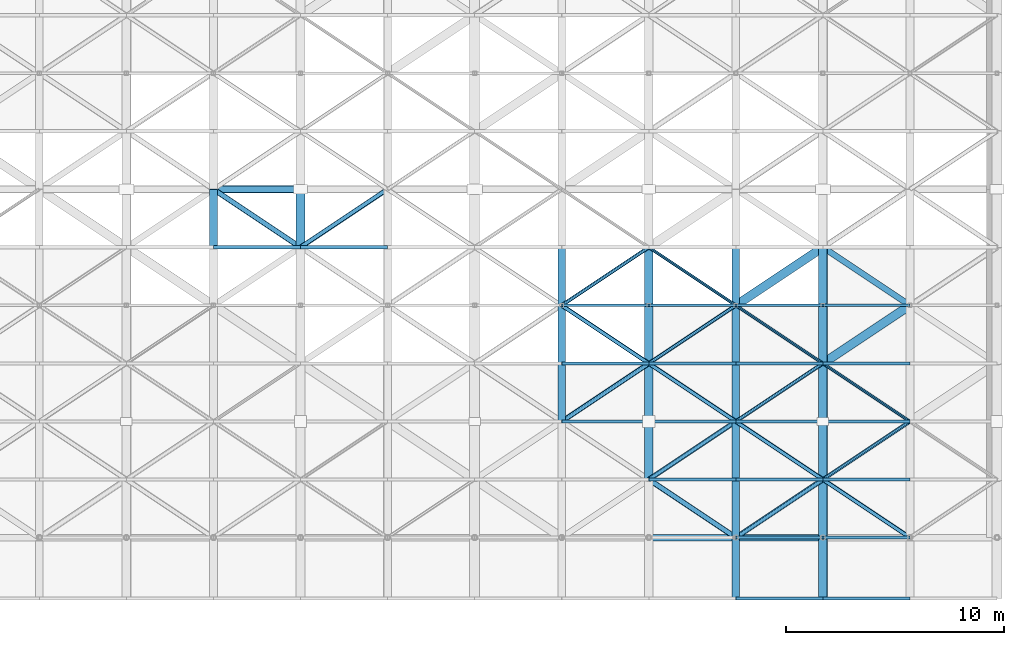
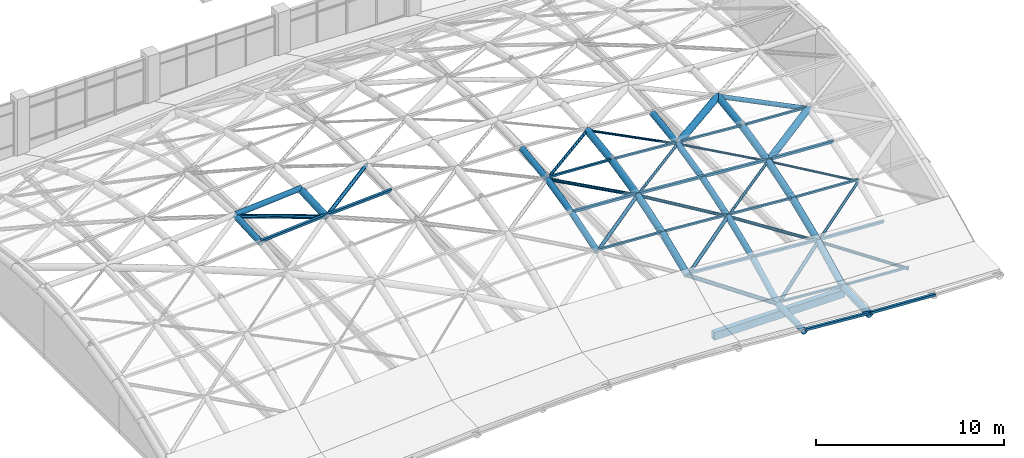
# One storey, part 29 of 72: 42 members, 22 beams.
"""IFC4 building model written with IfcOpenShell, lengths in metres."""

from ifc_helpers import new_model, si_unit, direction, frame, origin, origin_2d, place, context, subcontext, project, spatial, hollow_rectangle, hollow_circle, extrude, material, material_profile, profile_set, type_object, element, save


model = new_model("IFC4")

# Units and contexts
model_context = context("Model", 3, precision=1e-05, world=origin(), true_north=direction((0.0, 1.0)))
body_context = subcontext(model_context, "Body", "Model", "MODEL_VIEW")
ifc_project = project(units=[si_unit("LENGTHUNIT", "METRE"), si_unit("AREAUNIT", "SQUARE_METRE"), si_unit("VOLUMEUNIT", "CUBIC_METRE"), si_unit("PLANEANGLEUNIT", "RADIAN"), si_unit("MASSUNIT", "GRAM", prefix="KILO")], contexts=[model_context])

# Site, building, storey
site_placement = place(None, origin())
site = spatial("IfcSite", under=ifc_project, at=site_placement, CompositionType="ELEMENT")
building_placement = place(site_placement, origin())
building = spatial("IfcBuilding", under=site, at=building_placement, Name="Tenunan Teduh Sports Hall", CompositionType="ELEMENT")
storey_placement = place(building_placement, frame((0.0, 0.0, 15.0)))
storey = spatial("IfcBuildingStorey", under=building, at=storey_placement, Name="L03", CompositionType="ELEMENT", Elevation=15.0)

# Beams
ifc_material_1 = material(Name="Steel S355", Category="steel")
ifc_material_profile_1 = material_profile(ifc_material_1, hollow_circle(Radius=0.177734375, WallThickness=0.012451171875, at=origin_2d()), Name="CHS 355.6x12.5")
ifc_profile_set_1 = profile_set([ifc_material_profile_1], Name="Steel S355")
beam_type_1 = type_object("IfcBeamType", Name="GSB-CHS356", PredefinedType="BEAM", material=ifc_profile_set_1)
beam_1_placement = place(storey_placement, frame((134.0, 27.333251953125, 4.4990234375), z_axis=(0.0, 0.998970613421, 0.045362027305), x_axis=(-1.0, 0.0, 0.0)))
element("IfcBeam", 1, at=beam_1_placement, inside=storey, type_object=beam_type_1, Name="Gridshell Vault Arch BM-GR-04-L03-0114", PredefinedType="BEAM", context=body_context, shape_type="SweptSolid", body=[
    extrude(hollow_circle(Radius=0.177734375, WallThickness=0.012451171875, at=origin_2d()), origin(), (0.0, 0.0, 1.0), 2.66943359375),
])
beam_2_placement = place(storey_placement, frame((150.0, 19.333251953125, 3.1865234375), z_axis=(0.0, 0.952205270427, 0.305458872798), x_axis=(-1.0, 0.0, 0.0)))
element("IfcBeam", 2, at=beam_2_placement, inside=storey, type_object=beam_type_1, Name="Gridshell Vault Arch BM-GR-04-L03-0163", PredefinedType="BEAM", context=body_context, shape_type="SweptSolid", body=[
    extrude(hollow_circle(Radius=0.177734375, WallThickness=0.012451171875, at=origin_2d()), origin(), (0.0, 0.0, 1.0), 2.800537109375),
])
beam_3_placement = place(storey_placement, frame((150.0, 22.0, 4.0419921875), z_axis=(0.0, 0.974871798782, 0.222766640095), x_axis=(-1.0, 0.0, 0.0)))
element("IfcBeam", 3, at=beam_3_placement, inside=storey, type_object=beam_type_1, Name="Gridshell Vault Arch BM-GR-04-L03-0164", PredefinedType="BEAM", context=body_context, shape_type="SweptSolid", body=[
    extrude(hollow_circle(Radius=0.177734375, WallThickness=0.012451171875, at=origin_2d()), origin(), (0.0, 0.0, 1.0), 2.735595703125),
])
beam_4_placement = place(storey_placement, frame((150.0, 24.666748046875, 4.6513671875), z_axis=(0.0, 0.99065158568, 0.136416405866), x_axis=(-1.0, 0.0, 0.0)))
element("IfcBeam", 4, at=beam_4_placement, inside=storey, type_object=beam_type_1, Name="Gridshell Vault Arch BM-GR-04-L03-0165", PredefinedType="BEAM", context=body_context, shape_type="SweptSolid", body=[
    extrude(hollow_circle(Radius=0.177734375, WallThickness=0.012451171875, at=origin_2d()), origin(), (0.0, 0.0, 1.0), 2.691650390625),
])
beam_5_placement = place(storey_placement, frame((158.0, 11.199951171875, 0.1357421875), z_axis=(0.0, 0.999529350566, 0.030676984166), x_axis=(-1.0, 0.0, 0.0)))
element("IfcBeam", 5, at=beam_5_placement, inside=storey, type_object=beam_type_1, Name="Gridshell Vault Arch BM-GR-04-L03-0186", PredefinedType="BEAM", context=body_context, shape_type="SweptSolid", body=[
    extrude(hollow_circle(Radius=0.177734375, WallThickness=0.012451171875, at=origin_2d()), origin(), (0.0, 0.0, 1.0), 2.80126953125),
])
beam_6_placement = place(storey_placement, frame((158.0, 14.0, 0.2216796875), z_axis=(0.0, 0.893033000477, 0.449991177756), x_axis=(-1.0, 0.0, 0.0)))
element("IfcBeam", 6, at=beam_6_placement, inside=storey, type_object=beam_type_1, Name="Gridshell Vault Arch BM-GR-04-L03-0187", PredefinedType="BEAM", context=body_context, shape_type="SweptSolid", body=[
    extrude(hollow_circle(Radius=0.177734375, WallThickness=0.012451171875, at=origin_2d()), origin(), (0.0, 0.0, 1.0), 2.986083984375),
])
beam_7_placement = place(storey_placement, frame((158.0, 16.666748046875, 1.5654296875), z_axis=(0.0, 0.924239355634, 0.381813584748), x_axis=(-1.0, 0.0, 0.0)))
element("IfcBeam", 7, at=beam_7_placement, inside=storey, type_object=beam_type_1, Name="Gridshell Vault Arch BM-GR-04-L03-0188", PredefinedType="BEAM", context=body_context, shape_type="SweptSolid", body=[
    extrude(hollow_circle(Radius=0.177734375, WallThickness=0.012451171875, at=origin_2d()), origin(), (0.0, 0.0, 1.0), 2.885009765625),
])
beam_8_placement = place(storey_placement, frame((158.0, 19.333251953125, 2.6669921875), z_axis=(0.0, 0.952205270427, 0.305458872798), x_axis=(-1.0, 0.0, 0.0)))
element("IfcBeam", 8, at=beam_8_placement, inside=storey, type_object=beam_type_1, Name="Gridshell Vault Arch BM-GR-04-L03-0189", PredefinedType="BEAM", context=body_context, shape_type="SweptSolid", body=[
    extrude(hollow_circle(Radius=0.177734375, WallThickness=0.012451171875, at=origin_2d()), origin(), (0.0, 0.0, 1.0), 2.800537109375),
])
beam_9_placement = place(storey_placement, frame((158.0, 22.0, 3.5224609375), z_axis=(0.0, 0.974871798782, 0.222766640095), x_axis=(-1.0, 0.0, 0.0)))
element("IfcBeam", 9, at=beam_9_placement, inside=storey, type_object=beam_type_1, Name="Gridshell Vault Arch BM-GR-04-L03-0190", PredefinedType="BEAM", context=body_context, shape_type="SweptSolid", body=[
    extrude(hollow_circle(Radius=0.177734375, WallThickness=0.012451171875, at=origin_2d()), origin(), (0.0, 0.0, 1.0), 2.735595703125),
])
beam_10_placement = place(storey_placement, frame((158.0, 24.666748046875, 4.1318359375), z_axis=(0.0, 0.99065158568, 0.136416405866), x_axis=(-1.0, 0.0, 0.0)))
element("IfcBeam", 10, at=beam_10_placement, inside=storey, type_object=beam_type_1, Name="Gridshell Vault Arch BM-GR-04-L03-0191", PredefinedType="BEAM", context=body_context, shape_type="SweptSolid", body=[
    extrude(hollow_circle(Radius=0.177734375, WallThickness=0.012451171875, at=origin_2d()), origin(), (0.0, 0.0, 1.0), 2.691650390625),
])
ifc_material_2 = material(Name="Steel S355", Category="steel")
ifc_material_profile_2 = material_profile(ifc_material_2, hollow_circle(Radius=0.203125, WallThickness=0.01611328125, at=origin_2d()), Name="CHS 406.4x16.0")
ifc_profile_set_2 = profile_set([ifc_material_profile_2], Name="Steel S355")
beam_type_2 = type_object("IfcBeamType", Name="GSB-CHS406", PredefinedType="BEAM", material=ifc_profile_set_2)
beam_11_placement = place(storey_placement, frame((138.0, 27.333251953125, 4.7958984375), z_axis=(0.0, 0.998970613421, 0.045362027305), x_axis=(-1.0, 0.0, 0.0)))
element("IfcBeam", 11, at=beam_11_placement, inside=storey, type_object=beam_type_2, Name="Gridshell Vault Arch BM-GA-02-L03-0127", PredefinedType="BEAM", context=body_context, shape_type="SweptSolid", body=[
    extrude(hollow_circle(Radius=0.203125, WallThickness=0.01611328125, at=origin_2d()), origin(), (0.0, 0.0, 1.0), 2.66943359375),
])
beam_12_placement = place(storey_placement, frame((154.0, 16.666748046875, 1.8623046875), z_axis=(0.0, 0.924239355634, 0.381813584748), x_axis=(-1.0, 0.0, 0.0)))
element("IfcBeam", 12, at=beam_12_placement, inside=storey, type_object=beam_type_2, Name="Gridshell Vault Arch BM-GA-02-L03-0175", PredefinedType="BEAM", context=body_context, shape_type="SweptSolid", body=[
    extrude(hollow_circle(Radius=0.203125, WallThickness=0.01611328125, at=origin_2d()), origin(), (0.0, 0.0, 1.0), 2.885009765625),
])
beam_13_placement = place(storey_placement, frame((154.0, 19.333251953125, 2.9638671875), z_axis=(0.0, 0.952205270427, 0.305458872798), x_axis=(-1.0, 0.0, 0.0)))
element("IfcBeam", 13, at=beam_13_placement, inside=storey, type_object=beam_type_2, Name="Gridshell Vault Arch BM-GA-02-L03-0176", PredefinedType="BEAM", context=body_context, shape_type="SweptSolid", body=[
    extrude(hollow_circle(Radius=0.203125, WallThickness=0.01611328125, at=origin_2d()), origin(), (0.0, 0.0, 1.0), 2.800537109375),
])
beam_14_placement = place(storey_placement, frame((154.0, 22.0, 3.8193359375), z_axis=(0.0, 0.974871798782, 0.222766640095), x_axis=(-1.0, 0.0, 0.0)))
element("IfcBeam", 14, at=beam_14_placement, inside=storey, type_object=beam_type_2, Name="Gridshell Vault Arch BM-GA-02-L03-0177", PredefinedType="BEAM", context=body_context, shape_type="SweptSolid", body=[
    extrude(hollow_circle(Radius=0.203125, WallThickness=0.01611328125, at=origin_2d()), origin(), (0.0, 0.0, 1.0), 2.735595703125),
])
beam_15_placement = place(storey_placement, frame((154.0, 24.666748046875, 4.4287109375), z_axis=(0.0, 0.99065158568, 0.136416405866), x_axis=(-1.0, 0.0, 0.0)))
element("IfcBeam", 15, at=beam_15_placement, inside=storey, type_object=beam_type_2, Name="Gridshell Vault Arch BM-GA-02-L03-0178", PredefinedType="BEAM", context=body_context, shape_type="SweptSolid", body=[
    extrude(hollow_circle(Radius=0.203125, WallThickness=0.01611328125, at=origin_2d()), origin(), (0.0, 0.0, 1.0), 2.691650390625),
])
beam_16_placement = place(storey_placement, frame((162.0, 11.199951171875, -0.1650390625), z_axis=(0.0, 0.999529350566, 0.030676984166), x_axis=(-1.0, 0.0, 0.0)))
element("IfcBeam", 16, at=beam_16_placement, inside=storey, type_object=beam_type_2, Name="Gridshell Vault Arch BM-GA-02-L03-0200", PredefinedType="BEAM", context=body_context, shape_type="SweptSolid", body=[
    extrude(hollow_circle(Radius=0.203125, WallThickness=0.01611328125, at=origin_2d()), origin(), (0.0, 0.0, 1.0), 2.80126953125),
])
beam_17_placement = place(storey_placement, frame((162.0, 14.0, -0.0791015625), z_axis=(0.0, 0.893033000477, 0.449991177756), x_axis=(-1.0, 0.0, 0.0)))
element("IfcBeam", 17, at=beam_17_placement, inside=storey, type_object=beam_type_2, Name="Gridshell Vault Arch BM-GA-02-L03-0201", PredefinedType="BEAM", context=body_context, shape_type="SweptSolid", body=[
    extrude(hollow_circle(Radius=0.203125, WallThickness=0.01611328125, at=origin_2d()), origin(), (0.0, 0.0, 1.0), 2.986083984375),
])
beam_18_placement = place(storey_placement, frame((162.0, 16.666748046875, 1.2646484375), z_axis=(0.0, 0.924239355634, 0.381813584748), x_axis=(-1.0, 0.0, 0.0)))
element("IfcBeam", 18, at=beam_18_placement, inside=storey, type_object=beam_type_2, Name="Gridshell Vault Arch BM-GA-02-L03-0202", PredefinedType="BEAM", context=body_context, shape_type="SweptSolid", body=[
    extrude(hollow_circle(Radius=0.203125, WallThickness=0.01611328125, at=origin_2d()), origin(), (0.0, 0.0, 1.0), 2.885009765625),
])
beam_19_placement = place(storey_placement, frame((162.0, 19.333251953125, 2.3662109375), z_axis=(0.0, 0.952205270427, 0.305458872798), x_axis=(-1.0, 0.0, 0.0)))
element("IfcBeam", 19, at=beam_19_placement, inside=storey, type_object=beam_type_2, Name="Gridshell Vault Arch BM-GA-02-L03-0203", PredefinedType="BEAM", context=body_context, shape_type="SweptSolid", body=[
    extrude(hollow_circle(Radius=0.203125, WallThickness=0.01611328125, at=origin_2d()), origin(), (0.0, 0.0, 1.0), 2.800537109375),
])
beam_20_placement = place(storey_placement, frame((162.0, 22.0, 3.2216796875), z_axis=(0.0, 0.974871798782, 0.222766640095), x_axis=(-1.0, 0.0, 0.0)))
element("IfcBeam", 20, at=beam_20_placement, inside=storey, type_object=beam_type_2, Name="Gridshell Vault Arch BM-GA-02-L03-0204", PredefinedType="BEAM", context=body_context, shape_type="SweptSolid", body=[
    extrude(hollow_circle(Radius=0.203125, WallThickness=0.01611328125, at=origin_2d()), origin(), (0.0, 0.0, 1.0), 2.735595703125),
])
beam_21_placement = place(storey_placement, frame((162.0, 24.666748046875, 3.8310546875), z_axis=(0.0, 0.99065158568, 0.136416405866), x_axis=(-1.0, 0.0, 0.0)))
element("IfcBeam", 21, at=beam_21_placement, inside=storey, type_object=beam_type_2, Name="Gridshell Vault Arch BM-GA-02-L03-0205", PredefinedType="BEAM", context=body_context, shape_type="SweptSolid", body=[
    extrude(hollow_circle(Radius=0.203125, WallThickness=0.01611328125, at=origin_2d()), origin(), (0.0, 0.0, 1.0), 2.691650390625),
])

# Members
ifc_material_3 = material(Name="Steel S355", Category="steel")
ifc_material_profile_3 = material_profile(ifc_material_3, hollow_circle(Radius=0.06982421875, WallThickness=0.00634765625, at=origin_2d()), Name="CHS 139.7x6.3")
ifc_profile_set_3 = profile_set([ifc_material_profile_3], Name="Steel S355")
member_type_1 = type_object("IfcMemberType", Name="MEM-BR-CHS140", PredefinedType="BRACE", material=ifc_profile_set_3)
member_1_placement = place(storey_placement, frame((154.0, 27.333251953125, 4.7958984375), z_axis=(0.824239204019, -0.5494592643, -0.136836586605), x_axis=(0.554676756648, 0.832065920246, 0.0)))
element("IfcMember", 22, at=member_1_placement, inside=storey, type_object=member_type_1, Name="MEM-GD-05-L03-0321", PredefinedType="BRACE", context=body_context, shape_type="SweptSolid", body=[
    extrude(hollow_circle(Radius=0.06982421875, WallThickness=0.00634765625, at=origin_2d()), origin(), (0.0, 0.0, 1.0), 4.85302734375),
])
member_2_placement = place(storey_placement, frame((158.0, 24.666748046875, 4.1318359375), z_axis=(0.817520322289, -0.545030180686, -0.186017807708), x_axis=(0.554711915519, 0.832042481356, 0.0)))
element("IfcMember", 23, at=member_2_placement, inside=storey, type_object=member_type_1, Name="MEM-GD-05-L03-0347", PredefinedType="BRACE", context=body_context, shape_type="SweptSolid", body=[
    extrude(hollow_circle(Radius=0.06982421875, WallThickness=0.00634765625, at=origin_2d()), origin(), (0.0, 0.0, 1.0), 4.892822265625),
])
member_3_placement = place(storey_placement, frame((162.0, 22.0, 3.2216796875), z_axis=(0.81201761227, -0.541361595387, -0.218071136108), x_axis=(0.554711915519, 0.832042481356, 0.0)))
element("IfcMember", 24, at=member_3_placement, inside=storey, type_object=member_type_1, Name="MEM-GD-05-L03-0373", PredefinedType="BRACE", context=body_context, shape_type="SweptSolid", body=[
    extrude(hollow_circle(Radius=0.06982421875, WallThickness=0.00634765625, at=origin_2d()), origin(), (0.0, 0.0, 1.0), 4.926025390625),
])
ifc_material_4 = material(Name="Steel S355", Category="steel")
ifc_material_profile_4 = material_profile(ifc_material_4, hollow_circle(Radius=0.084228515625, WallThickness=0.008056640625, at=origin_2d()), Name="CHS 168.3x8.0")
ifc_profile_set_4 = profile_set([ifc_material_profile_4], Name="Steel S355")
member_type_2 = type_object("IfcMemberType", Name="MEM-BR-CHS168", PredefinedType="BRACE", material=ifc_profile_set_4)
member_4_placement = place(storey_placement, frame((150.0, 24.666748046875, 4.6513671875), z_axis=(0.831690123992, 0.554426241103, 0.030051303308), x_axis=(-0.554676756648, 0.832065920246, 0.0)))
element("IfcMember", 25, at=member_4_placement, inside=storey, type_object=member_type_2, Name="MEM-GD-04-L03-0294", PredefinedType="BRACE", context=body_context, shape_type="SweptSolid", body=[
    extrude(hollow_circle(Radius=0.084228515625, WallThickness=0.008056640625, at=origin_2d()), origin(), (0.0, 0.0, 1.0), 4.8095703125),
])
member_5_placement = place(storey_placement, frame((154.0, 22.0, 3.8193359375), z_axis=(0.83029016339, 0.55354366789, 0.064866419015), x_axis=(-0.554711915519, 0.832042481356, 0.0)))
element("IfcMember", 26, at=member_5_placement, inside=storey, type_object=member_type_2, Name="MEM-GD-04-L03-0320", PredefinedType="BRACE", context=body_context, shape_type="SweptSolid", body=[
    extrude(hollow_circle(Radius=0.084228515625, WallThickness=0.008056640625, at=origin_2d()), origin(), (0.0, 0.0, 1.0), 4.817626953125),
])
member_6_placement = place(storey_placement, frame((158.0, 19.333251953125, 2.6669921875), z_axis=(0.826558786537, 0.551056007406, 0.114620456727), x_axis=(-0.554711915519, 0.832042481356, 0.0)))
element("IfcMember", 27, at=member_6_placement, inside=storey, type_object=member_type_2, Name="MEM-GD-04-L03-0346", PredefinedType="BRACE", context=body_context, shape_type="SweptSolid", body=[
    extrude(hollow_circle(Radius=0.084228515625, WallThickness=0.008056640625, at=origin_2d()), origin(), (0.0, 0.0, 1.0), 4.83935546875),
])
member_7_placement = place(storey_placement, frame((162.0, 16.666748046875, 1.2646484375), z_axis=(0.818381009906, 0.545554039928, 0.180619246327), x_axis=(-0.554676756648, 0.832065920246, 0.0)))
element("IfcMember", 28, at=member_7_placement, inside=storey, type_object=member_type_2, Name="MEM-GD-04-L03-0372", PredefinedType="BRACE", context=body_context, shape_type="SweptSolid", body=[
    extrude(hollow_circle(Radius=0.084228515625, WallThickness=0.008056640625, at=origin_2d()), origin(), (0.0, 0.0, 1.0), 4.8876953125),
])
ifc_material_5 = material(Name="Steel S355", Category="steel")
ifc_material_profile_5 = material_profile(ifc_material_5, hollow_circle(Radius=0.096923828125, WallThickness=0.008056640625, at=origin_2d()), Name="CHS 193.7x8.0")
ifc_profile_set_5 = profile_set([ifc_material_profile_5], Name="Steel S355")
member_type_3 = type_object("IfcMemberType", Name="MEM-BR-CHS194", PredefinedType="BRACE", material=ifc_profile_set_5)
member_8_placement = place(storey_placement, frame((150.0, 24.666748046875, 4.6513671875), z_axis=(0.819854249559, -0.546586179684, -0.17053608902), x_axis=(0.554711915519, 0.832042481356, 0.0)))
element("IfcMember", 29, at=member_8_placement, inside=storey, type_object=member_type_3, Name="MEM-GD-03-L03-0293", PredefinedType="BRACE", context=body_context, shape_type="SweptSolid", body=[
    extrude(hollow_circle(Radius=0.096923828125, WallThickness=0.008056640625, at=origin_2d()), origin(), (0.0, 0.0, 1.0), 4.87890625),
])
member_9_placement = place(storey_placement, frame((154.0, 22.0, 3.8193359375), z_axis=(0.809122643015, -0.539431556986, -0.233096855166), x_axis=(0.554711915519, 0.832042481356, 0.0)))
element("IfcMember", 30, at=member_9_placement, inside=storey, type_object=member_type_3, Name="MEM-GD-03-L03-0319", PredefinedType="BRACE", context=body_context, shape_type="SweptSolid", body=[
    extrude(hollow_circle(Radius=0.096923828125, WallThickness=0.008056640625, at=origin_2d()), origin(), (0.0, 0.0, 1.0), 4.943603515625),
])
member_10_placement = place(storey_placement, frame((158.0, 19.333251953125, 2.6669921875), z_axis=(0.798773847537, -0.532483396167, -0.280038878189), x_axis=(0.554676756648, 0.832065920246, 0.0)))
element("IfcMember", 31, at=member_10_placement, inside=storey, type_object=member_type_3, Name="MEM-GD-03-L03-0345", PredefinedType="BRACE", context=body_context, shape_type="SweptSolid", body=[
    extrude(hollow_circle(Radius=0.096923828125, WallThickness=0.008056640625, at=origin_2d()), origin(), (0.0, 0.0, 1.0), 5.007568359375),
])
member_11_placement = place(storey_placement, frame((162.0, 16.666748046875, 1.2646484375), z_axis=(0.791296886436, -0.5275473566, -0.309100346264), x_axis=(0.554711915519, 0.832042481356, 0.0)))
element("IfcMember", 32, at=member_11_placement, inside=storey, type_object=member_type_3, Name="MEM-GD-03-L03-0371", PredefinedType="BRACE", context=body_context, shape_type="SweptSolid", body=[
    extrude(hollow_circle(Radius=0.096923828125, WallThickness=0.008056640625, at=origin_2d()), origin(), (0.0, 0.0, 1.0), 5.054931640625),
])
ifc_material_6 = material(Name="Steel S355", Category="steel")
ifc_material_profile_6 = material_profile(ifc_material_6, hollow_circle(Radius=0.109619140625, WallThickness=0.010009765625, at=origin_2d()), Name="CHS 219.1x10.0")
ifc_profile_set_6 = profile_set([ifc_material_profile_6], Name="Steel S355")
member_type_4 = type_object("IfcMemberType", Name="MEM-BR-CHS219", PredefinedType="BRACE", material=ifc_profile_set_6)
member_12_placement = place(storey_placement, frame((138.0, 27.333251953125, 4.7958984375), z_axis=(0.829923581214, 0.553299272314, 0.071321557761), x_axis=(-0.554711915519, 0.832042481356, 0.0)))
element("IfcMember", 33, at=member_12_placement, inside=storey, type_object=member_type_4, Name="MEM-GD-02-L03-0217", PredefinedType="BRACE", context=body_context, shape_type="SweptSolid", body=[
    extrude(hollow_circle(Radius=0.109619140625, WallThickness=0.010009765625, at=origin_2d()), origin(), (0.0, 0.0, 1.0), 4.81982421875),
])
member_13_placement = place(storey_placement, frame((150.0, 19.333251953125, 3.1865234375), z_axis=(0.824926460417, 0.549967756783, 0.130505943933), x_axis=(-0.554711915519, 0.832042481356, 0.0)))
element("IfcMember", 34, at=member_13_placement, inside=storey, type_object=member_type_4, Name="MEM-GD-02-L03-0292", PredefinedType="BRACE", context=body_context, shape_type="SweptSolid", body=[
    extrude(hollow_circle(Radius=0.109619140625, WallThickness=0.010009765625, at=origin_2d()), origin(), (0.0, 0.0, 1.0), 4.848876953125),
])
member_14_placement = place(storey_placement, frame((154.0, 16.666748046875, 1.8623046875), z_axis=(0.820648537247, 0.547065632557, 0.165091404954), x_axis=(-0.554676756648, 0.832065920246, 0.0)))
element("IfcMember", 35, at=member_14_placement, inside=storey, type_object=member_type_4, Name="MEM-GD-02-L03-0318", PredefinedType="BRACE", context=body_context, shape_type="SweptSolid", body=[
    extrude(hollow_circle(Radius=0.109619140625, WallThickness=0.010009765625, at=origin_2d()), origin(), (0.0, 0.0, 1.0), 4.874267578125),
])
member_15_placement = place(storey_placement, frame((158.0, 14.0, 0.2216796875), z_axis=(0.813126901845, 0.542101144339, 0.212016487102), x_axis=(-0.554711915519, 0.832042481356, 0.0)))
element("IfcMember", 36, at=member_15_placement, inside=storey, type_object=member_type_4, Name="MEM-GD-02-L03-0344", PredefinedType="BRACE", context=body_context, shape_type="SweptSolid", body=[
    extrude(hollow_circle(Radius=0.109619140625, WallThickness=0.010009765625, at=origin_2d()), origin(), (0.0, 0.0, 1.0), 4.919189453125),
])
ifc_material_7 = material(Name="Steel S355", Category="steel")
ifc_material_profile_7 = material_profile(ifc_material_7, hollow_circle(Radius=0.122314453125, WallThickness=0.010009765625, at=origin_2d()), Name="CHS 244.5x10.0")
ifc_profile_set_7 = profile_set([ifc_material_profile_7], Name="Steel S355")
member_type_5 = type_object("IfcMemberType", Name="MEM-BR-CHS245", PredefinedType="BRACE", material=ifc_profile_set_7)
member_16_placement = place(storey_placement, frame((134.0, 30.0, 4.6201171875), z_axis=(0.831486837632, -0.554341475065, 0.036539948919), x_axis=(0.554711915519, 0.832042481356, 0.0)))
element("IfcMember", 37, at=member_16_placement, inside=storey, type_object=member_type_5, Name="MEM-GD-01-L03-0191", PredefinedType="BRACE", context=body_context, shape_type="SweptSolid", body=[
    extrude(hollow_circle(Radius=0.122314453125, WallThickness=0.010009765625, at=origin_2d()), origin(), (0.0, 0.0, 1.0), 4.810546875),
])
member_17_placement = place(storey_placement, frame((154.0, 16.666748046875, 1.8623046875), z_axis=(0.787450466452, -0.524982998356, -0.322977730381), x_axis=(0.554711915519, 0.832042481356, 0.0)))
element("IfcMember", 38, at=member_17_placement, inside=storey, type_object=member_type_5, Name="MEM-GD-01-L03-0317", PredefinedType="BRACE", context=body_context, shape_type="SweptSolid", body=[
    extrude(hollow_circle(Radius=0.122314453125, WallThickness=0.010009765625, at=origin_2d()), origin(), (0.0, 0.0, 1.0), 5.07958984375),
])
ifc_material_8 = material(Name="Steel S355", Category="steel")
ifc_material_profile_8 = material_profile(ifc_material_8, hollow_circle(Radius=0.136474609375, WallThickness=0.010009765625, at=origin_2d()), Name="CHS 273.0x10.0")
ifc_profile_set_8 = profile_set([ifc_material_profile_8], Name="Steel S355")
member_type_6 = type_object("IfcMemberType", Name="MEM-CH-CHS273", PredefinedType="CHORD", material=ifc_profile_set_8)
member_18_placement = place(storey_placement, frame((162.0, 27.333251953125, 4.1982421875), z_axis=(0.825953410204, -0.550601998672, -0.120989269073), x_axis=(0.554676756648, 0.832065920246, 0.0)))
element("IfcMember", 39, at=member_18_placement, inside=storey, type_object=member_type_6, Name="MEM-GC-03-L03-0375", PredefinedType="CHORD", context=body_context, shape_type="SweptSolid", body=[
    extrude(hollow_circle(Radius=0.136474609375, WallThickness=0.010009765625, at=origin_2d()), origin(), (0.0, 0.0, 1.0), 4.8427734375),
])
ifc_material_9 = material(Name="Steel S355", Category="steel")
ifc_material_profile_9 = material_profile(ifc_material_9, hollow_circle(Radius=0.161865234375, WallThickness=0.012451171875, at=origin_2d()), Name="CHS 323.9x12.5")
ifc_profile_set_9 = profile_set([ifc_material_profile_9], Name="Steel S355")
member_type_7 = type_object("IfcMemberType", Name="MEM-CH-CHS324", PredefinedType="CHORD", material=ifc_profile_set_9)
member_19_placement = place(storey_placement, frame((134.0, 30.0, 4.739990234375), z_axis=(0.997257115114, 0.0, 0.074015176512), x_axis=(0.0, 1.0, 0.0)))
element("IfcMember", 40, at=member_19_placement, inside=storey, type_object=member_type_7, Name="MEM-GC-02-L03-0179", PredefinedType="CHORD", context=body_context, shape_type="SweptSolid", body=[
    extrude(hollow_circle(Radius=0.161865234375, WallThickness=0.012451171875, at=origin_2d()), origin(), (0.0, 0.0, 1.0), 4.010986328125),
])
ifc_material_10 = material(Name="Steel S355", Category="steel")
ifc_material_profile_10 = material_profile(ifc_material_10, hollow_circle(Radius=0.203125, WallThickness=0.012451171875, at=origin_2d()), Name="CHS 406.4x12.5")
ifc_profile_set_10 = profile_set([ifc_material_profile_10], Name="Steel S355")
member_type_8 = type_object("IfcMemberType", Name="MEM-CH-CHS406L", PredefinedType="CHORD", material=ifc_profile_set_10)
member_20_placement = place(storey_placement, frame((158.0, 24.666748046875, 4.1318359375), z_axis=(0.831986546113, 0.55462384379, 0.013812276644), x_axis=(-0.554676756648, 0.832065920246, 0.0)))
element("IfcMember", 41, at=member_20_placement, inside=storey, type_object=member_type_8, Name="MEM-GC-01-L03-0348", PredefinedType="CHORD", context=body_context, shape_type="SweptSolid", body=[
    extrude(hollow_circle(Radius=0.203125, WallThickness=0.012451171875, at=origin_2d()), origin(), (0.0, 0.0, 1.0), 4.807861328125),
])
member_21_placement = place(storey_placement, frame((162.0, 22.0, 3.2216796875), z_axis=(0.829309336898, 0.552889763607, 0.080987239931), x_axis=(-0.554711915519, 0.832042481356, 0.0)))
element("IfcMember", 42, at=member_21_placement, inside=storey, type_object=member_type_8, Name="MEM-GC-01-L03-0374", PredefinedType="CHORD", context=body_context, shape_type="SweptSolid", body=[
    extrude(hollow_circle(Radius=0.203125, WallThickness=0.012451171875, at=origin_2d()), origin(), (0.0, 0.0, 1.0), 4.8232421875),
])
ifc_material_11 = material(Name="Steel S355", Category="steel")
ifc_material_profile_11 = material_profile(ifc_material_11, hollow_rectangle(XDim=0.1201171875, YDim=0.1201171875, WallThickness=0.00634765625, at=origin_2d()), Name="SHS 120x120x6.3")
ifc_profile_set_11 = profile_set([ifc_material_profile_11], Name="Steel S355")
member_type_9 = type_object("IfcMemberType", Name="MEM-PR-SHS120", PredefinedType="PURLIN", material=ifc_profile_set_11)
for number, where, z_axis, x_axis, name in (
    (43, (150.0, 19.333251953125, 3.306396484375), (0.998454347037, 0.0, -0.055578025177), (0.0, 1.0, 0.0), "MEM-PR-02-L03-0279"),
    (44, (150.0, 24.666748046875, 4.771240234375), (0.998454347037, 0.0, -0.055578025177), (0.0, 1.0, 0.0), "MEM-PR-02-L03-0281"),
):
    element("IfcMember", number, at=place(storey_placement, frame(where, z_axis=z_axis, x_axis=x_axis)), inside=storey, type_object=member_type_9, Name=name, PredefinedType="PURLIN", context=body_context, shape_type="SweptSolid", body=[
        extrude(hollow_rectangle(XDim=0.1201171875, YDim=0.1201171875, WallThickness=0.00634765625, at=origin_2d()), origin(), (0.0, 0.0, 1.0), 4.006103515625),
    ])
for number, where, z_axis, x_axis, name in (
    (45, (154.0, 19.333251953125, 3.083740234375), (0.997257115114, 0.0, -0.074015176512), (0.0, 1.0, 0.0), "MEM-PR-02-L03-0305"),
    (46, (154.0, 24.666748046875, 4.548583984375), (0.997257115114, 0.0, -0.074015176512), (0.0, 1.0, 0.0), "MEM-PR-02-L03-0307"),
):
    element("IfcMember", number, at=place(storey_placement, frame(where, z_axis=z_axis, x_axis=x_axis)), inside=storey, type_object=member_type_9, Name=name, PredefinedType="PURLIN", context=body_context, shape_type="SweptSolid", body=[
        extrude(hollow_rectangle(XDim=0.1201171875, YDim=0.1201171875, WallThickness=0.00634765625, at=origin_2d()), origin(), (0.0, 0.0, 1.0), 4.010986328125),
    ])
for number, where, z_axis, x_axis, name in (
    (47, (158.0, 14.0, 0.341552734375), (0.997184765588, 0.0, -0.074983620069), (0.0, 1.0, 0.0), "MEM-PR-02-L03-0330"),
    (48, (158.0, 19.333251953125, 2.786865234375), (0.997184765588, 0.0, -0.074983620069), (0.0, 1.0, 0.0), "MEM-PR-02-L03-0332"),
    (49, (158.0, 24.666748046875, 4.251708984375), (0.997184765588, 0.0, -0.074983620069), (0.0, 1.0, 0.0), "MEM-PR-02-L03-0334"),
):
    element("IfcMember", number, at=place(storey_placement, frame(where, z_axis=z_axis, x_axis=x_axis)), inside=storey, type_object=member_type_9, Name=name, PredefinedType="PURLIN", context=body_context, shape_type="SweptSolid", body=[
        extrude(hollow_rectangle(XDim=0.1201171875, YDim=0.1201171875, WallThickness=0.00634765625, at=origin_2d()), origin(), (0.0, 0.0, 1.0), 4.01123046875),
    ])
for number, where, z_axis, x_axis, name in (
    (50, (162.0, 14.0, 0.040771484375), (0.998507984492, 0.0, -0.054605905402), (0.0, 1.0, 0.0), "MEM-PR-02-L03-0357"),
    (51, (162.0, 19.333251953125, 2.486083984375), (0.998507984492, 0.0, -0.054605905402), (0.0, 1.0, 0.0), "MEM-PR-02-L03-0359"),
    (52, (162.0, 24.666748046875, 3.950927734375), (0.998507984492, 0.0, -0.054605905402), (0.0, 1.0, 0.0), "MEM-PR-02-L03-0361"),
):
    element("IfcMember", number, at=place(storey_placement, frame(where, z_axis=z_axis, x_axis=x_axis)), inside=storey, type_object=member_type_9, Name=name, PredefinedType="PURLIN", context=body_context, shape_type="SweptSolid", body=[
        extrude(hollow_rectangle(XDim=0.1201171875, YDim=0.1201171875, WallThickness=0.00634765625, at=origin_2d()), origin(), (0.0, 0.0, 1.0), 4.005859375),
    ])
ifc_material_12 = material(Name="Steel S355", Category="steel")
ifc_material_profile_12 = material_profile(ifc_material_12, hollow_rectangle(XDim=0.14990234375, YDim=0.14990234375, WallThickness=0.008056640625, at=origin_2d()), Name="SHS 150x150x8.0")
ifc_profile_set_12 = profile_set([ifc_material_profile_12], Name="Steel S355")
member_type_10 = type_object("IfcMemberType", Name="MEM-PR-SHS150", PredefinedType="PURLIN", material=ifc_profile_set_12)
member_22_placement = place(storey_placement, frame((134.0, 27.333251953125, 4.618896484375), z_axis=(0.997257115114, 0.0, 0.074015176512), x_axis=(0.0, 1.0, 0.0)))
element("IfcMember", 53, at=member_22_placement, inside=storey, type_object=member_type_10, Name="MEM-PR-01-L03-0178", PredefinedType="PURLIN", context=body_context, shape_type="SweptSolid", body=[
    extrude(hollow_rectangle(XDim=0.14990234375, YDim=0.14990234375, WallThickness=0.008056640625, at=origin_2d()), origin(), (0.0, 0.0, 1.0), 4.010986328125),
])
for number, where, z_axis, x_axis, name in (
    (54, (138.0, 27.333251953125, 4.915771484375), (0.998454347037, 0.0, 0.055578025177), (0.0, 1.0, 0.0), "MEM-PR-01-L03-0204"),
    (55, (150.0, 22.0, 4.161865234375), (0.998454347037, 0.0, -0.055578025177), (0.0, 1.0, 0.0), "MEM-PR-01-L03-0280"),
):
    element("IfcMember", number, at=place(storey_placement, frame(where, z_axis=z_axis, x_axis=x_axis)), inside=storey, type_object=member_type_10, Name=name, PredefinedType="PURLIN", context=body_context, shape_type="SweptSolid", body=[
        extrude(hollow_rectangle(XDim=0.14990234375, YDim=0.14990234375, WallThickness=0.008056640625, at=origin_2d()), origin(), (0.0, 0.0, 1.0), 4.006103515625),
    ])
for number, where, z_axis, x_axis, name in (
    (56, (154.0, 16.666748046875, 1.982177734375), (0.997257115114, 0.0, -0.074015176512), (0.0, 1.0, 0.0), "MEM-PR-01-L03-0304"),
    (57, (154.0, 22.0, 3.939208984375), (0.997257115114, 0.0, -0.074015176512), (0.0, 1.0, 0.0), "MEM-PR-01-L03-0306"),
):
    element("IfcMember", number, at=place(storey_placement, frame(where, z_axis=z_axis, x_axis=x_axis)), inside=storey, type_object=member_type_10, Name=name, PredefinedType="PURLIN", context=body_context, shape_type="SweptSolid", body=[
        extrude(hollow_rectangle(XDim=0.14990234375, YDim=0.14990234375, WallThickness=0.008056640625, at=origin_2d()), origin(), (0.0, 0.0, 1.0), 4.010986328125),
    ])
for number, where, z_axis, x_axis, name in (
    (58, (158.0, 11.199951171875, 0.255615234375), (0.997184765588, 0.0, -0.074983620069), (0.0, 1.0, 0.0), "MEM-PR-01-L03-0329"),
    (59, (158.0, 16.666748046875, 1.685302734375), (0.997184765588, 0.0, -0.074983620069), (0.0, 1.0, 0.0), "MEM-PR-01-L03-0331"),
    (60, (158.0, 22.0, 3.642333984375), (0.997184765588, 0.0, -0.074983620069), (0.0, 1.0, 0.0), "MEM-PR-01-L03-0333"),
):
    element("IfcMember", number, at=place(storey_placement, frame(where, z_axis=z_axis, x_axis=x_axis)), inside=storey, type_object=member_type_10, Name=name, PredefinedType="PURLIN", context=body_context, shape_type="SweptSolid", body=[
        extrude(hollow_rectangle(XDim=0.14990234375, YDim=0.14990234375, WallThickness=0.008056640625, at=origin_2d()), origin(), (0.0, 0.0, 1.0), 4.01123046875),
    ])
for number, where, z_axis, x_axis, name in (
    (61, (162.0, 11.199951171875, -0.045166015625), (0.998507984492, 0.0, -0.054605905402), (0.0, 1.0, 0.0), "MEM-PR-01-L03-0356"),
    (62, (162.0, 16.666748046875, 1.384521484375), (0.998507984492, 0.0, -0.054605905402), (0.0, 1.0, 0.0), "MEM-PR-01-L03-0358"),
    (63, (162.0, 22.0, 3.341552734375), (0.998507984492, 0.0, -0.054605905402), (0.0, 1.0, 0.0), "MEM-PR-01-L03-0360"),
):
    element("IfcMember", number, at=place(storey_placement, frame(where, z_axis=z_axis, x_axis=x_axis)), inside=storey, type_object=member_type_10, Name=name, PredefinedType="PURLIN", context=body_context, shape_type="SweptSolid", body=[
        extrude(hollow_rectangle(XDim=0.14990234375, YDim=0.14990234375, WallThickness=0.008056640625, at=origin_2d()), origin(), (0.0, 0.0, 1.0), 4.005859375),
    ])

# Beam
ifc_material_13 = material(Name="Steel S355", Category="steel")
ifc_material_profile_13 = material_profile(ifc_material_13, hollow_rectangle(XDim=0.300048828125, YDim=0.5, WallThickness=0.01611328125, at=origin_2d()), Name="RHS 500x300x16.0")
ifc_profile_set_13 = profile_set([ifc_material_profile_13], Name="Steel S355")
beam_type_3 = type_object("IfcBeamType", Name="RBM-RHS500", PredefinedType="SPANDREL", material=ifc_profile_set_13)
beam_22_placement = place(storey_placement, frame((154.0, 14.0, -0.409912109375), z_axis=(1.0, 0.0, 0.0), x_axis=(0.0, 1.0, 0.0)))
element("IfcBeam", 64, at=beam_22_placement, inside=storey, type_object=beam_type_3, Name="Perimeter Ring Beam BM-RB-01-L03-0052", PredefinedType="SPANDREL", context=body_context, shape_type="SweptSolid", body=[
    extrude(hollow_rectangle(XDim=0.300048828125, YDim=0.5, WallThickness=0.01611328125, at=origin_2d()), origin(), (0.0, 0.0, 1.0), 8.0),
])

save(model, "model.ifc")
